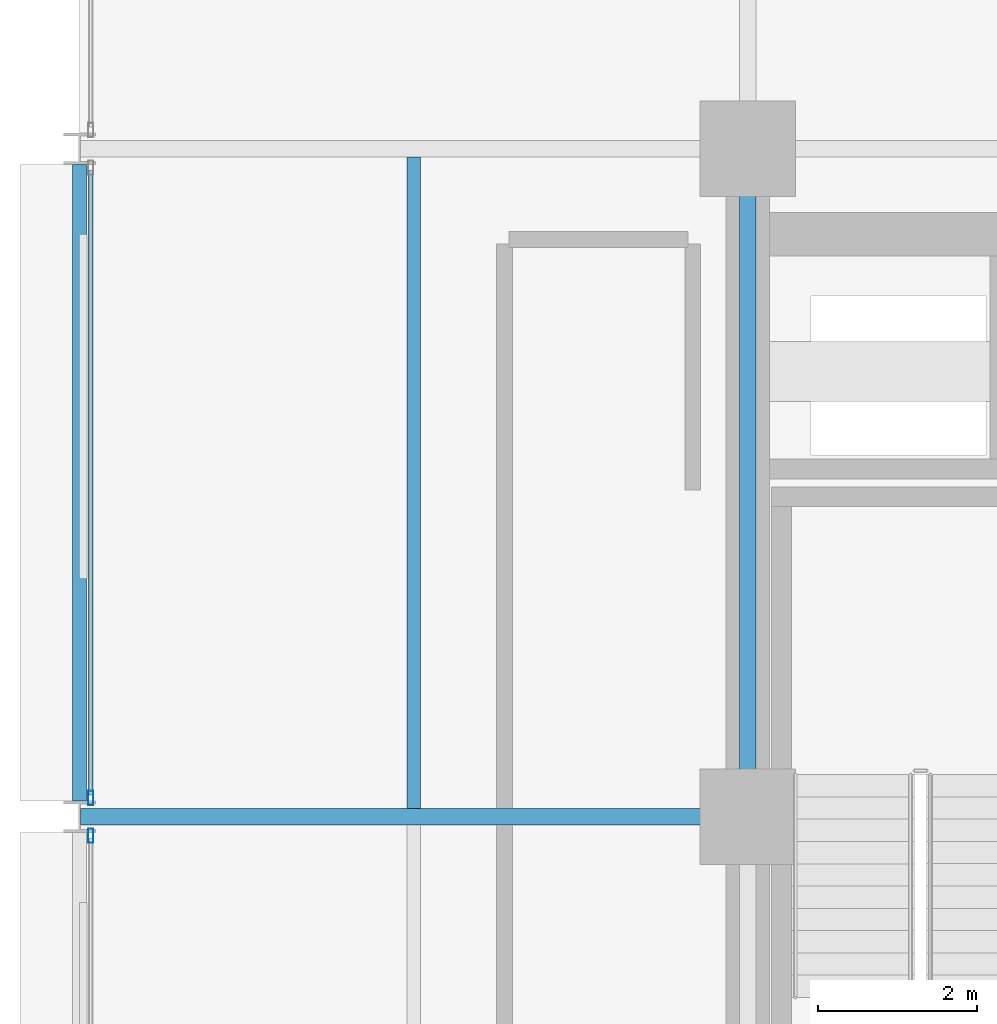
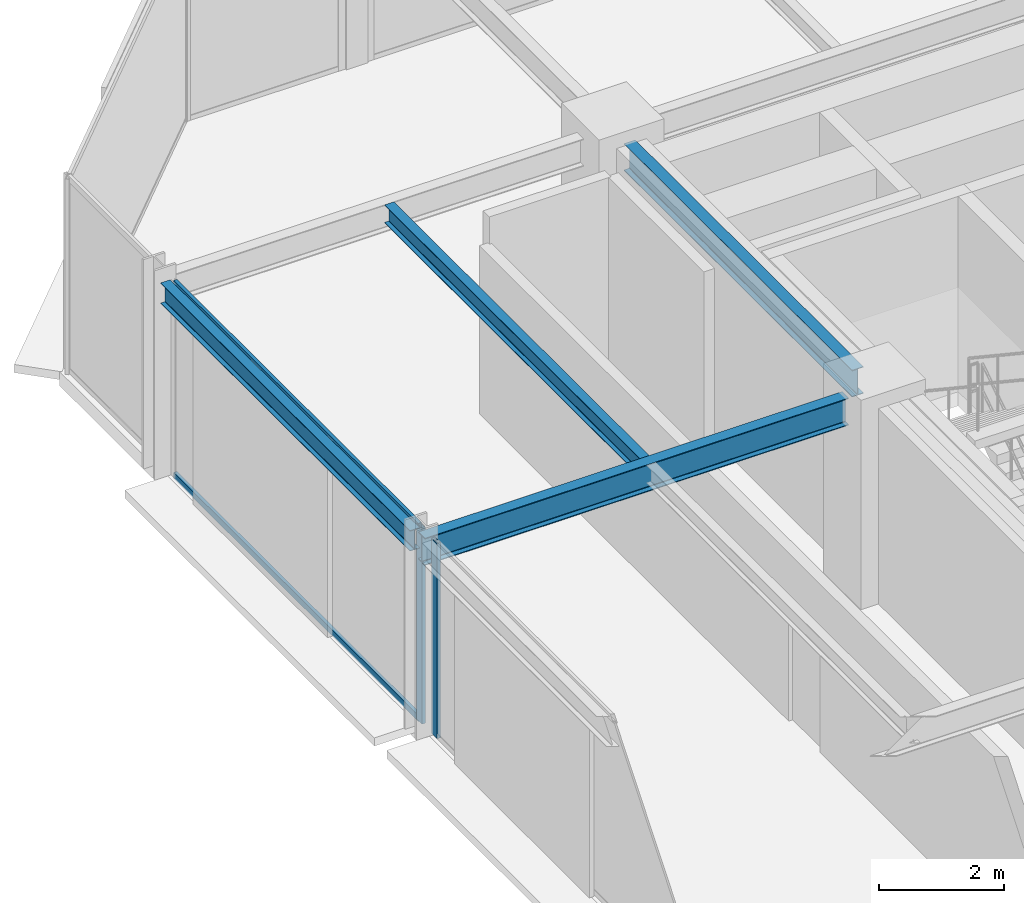
# One storey, part 16 of 30: 4 beams, 4 members, 2 elements without a shape of their own.
"""IFC4 building model written with IfcOpenShell, lengths in metres."""

from ifc_helpers import new_model, si_unit, direction, frame, origin, origin_2d, place, context, subcontext, project, spatial, hollow_rectangle, i_section, extrude, material, layer, layer_set, material_profile, profile_set, type_object, element, aggregate, save


model = new_model("IFC4")

# Units and contexts
model_context = context("Model", 3, precision=1e-05, world=origin(), true_north=direction((0.0, 1.0)))
body_context = subcontext(model_context, "Body", "Model", "MODEL_VIEW")
ifc_project = project(units=[si_unit("LENGTHUNIT", "METRE"), si_unit("AREAUNIT", "SQUARE_METRE"), si_unit("VOLUMEUNIT", "CUBIC_METRE"), si_unit("PLANEANGLEUNIT", "RADIAN"), si_unit("MASSUNIT", "GRAM", prefix="KILO")], contexts=[model_context])

# Site, building, storey
site_placement = place(None, origin())
site = spatial("IfcSite", under=ifc_project, at=site_placement, CompositionType="ELEMENT")
building_placement = place(site_placement, origin())
building = spatial("IfcBuilding", under=site, at=building_placement, Name="Nerrivon Quay Data Exchange", CompositionType="ELEMENT")
storey_placement = place(building_placement, frame((0.0, 0.0, 141.800048828125)))
storey = spatial("IfcBuildingStorey", under=building, at=storey_placement, Name="L33", CompositionType="ELEMENT", Elevation=141.800048828125)

# Beams
ifc_material_1 = material(Name="Steel Grade 350", Category="steel")
ifc_material_profile_1 = material_profile(ifc_material_1, i_section(OverallWidth=0.208984375, OverallDepth=0.532958984375, WebThickness=0.01025390625, FlangeThickness=0.015625, FilletRadius=0.013916015625, at=origin_2d()), Name="530UB92.4")
ifc_profile_set_1 = profile_set([ifc_material_profile_1], Name="Steel Grade 350")
beam_type_1 = type_object("IfcBeamType", Name="BM-G3-530UB92", PredefinedType="BEAM", material=ifc_profile_set_1)
beam_1_placement = place(storey_placement, frame((0.012451171875, 33.60009765625, 3.558349609375), z_axis=(1.0, 0.0, 0.0), x_axis=(0.0, 1.0, 0.0)))
element("IfcBeam", 1, at=beam_1_placement, inside=storey, type_object=beam_type_1, Name="L33 EW Girder Y=33.6 (0.0..8.4)", PredefinedType="BEAM", context=body_context, shape_type="SweptSolid", body=[
    extrude(i_section(OverallWidth=0.208984375, OverallDepth=0.532958984375, WebThickness=0.01025390625, FlangeThickness=0.015625, FilletRadius=0.013916015625, at=origin_2d()), origin(), (0.0, 0.0, 1.0), 7.84765625),
])
ifc_material_profile_2 = material_profile(ifc_material_1, i_section(OverallWidth=0.208984375, OverallDepth=0.528076171875, WebThickness=0.009521484375, FlangeThickness=0.01318359375, FilletRadius=0.013916015625, at=origin_2d()), Name="530UB82.0")
ifc_profile_set_2 = profile_set([ifc_material_profile_2], Name="Steel Grade 350")
beam_type_2 = type_object("IfcBeamType", Name="BM-G4-530UB82", PredefinedType="BEAM", material=ifc_profile_set_2)
beam_2_placement = place(storey_placement, frame((8.39990234375, 34.139892578125, 3.56103515625), z_axis=(0.0, 1.0, 0.0), x_axis=(-1.0, 0.0, 0.0)))
element("IfcBeam", 2, at=beam_2_placement, inside=storey, type_object=beam_type_2, Name="L33 NS Girder X=8.4 (33.6..42.0)", PredefinedType="BEAM", context=body_context, shape_type="SweptSolid", body=[
    extrude(i_section(OverallWidth=0.208984375, OverallDepth=0.528076171875, WebThickness=0.009521484375, FlangeThickness=0.01318359375, FilletRadius=0.013916015625, at=origin_2d()), origin(), (0.0, 0.0, 1.0), 7.320068359375),
])
ifc_material_profile_3 = material_profile(ifc_material_1, i_section(OverallWidth=0.1708984375, OverallDepth=0.35595703125, WebThickness=0.00732421875, FlangeThickness=0.011474609375, FilletRadius=0.011474609375, at=origin_2d()), Name="360UB50.7")
ifc_profile_set_3 = profile_set([ifc_material_profile_3], Name="Steel Grade 350")
beam_type_3 = type_object("IfcBeamType", Name="BM-J4-360UB51", PredefinedType="JOIST", material=ifc_profile_set_3)
beam_3_placement = place(storey_placement, frame((4.199951171875, 33.70458984375, 3.64697265625), z_axis=(0.0, 1.0, 0.0), x_axis=(-1.0, 0.0, 0.0)))
element("IfcBeam", 3, at=beam_3_placement, inside=storey, type_object=beam_type_3, Name="L33 Secondary Joist X=4.2 (33.6..42.0)", PredefinedType="JOIST", context=body_context, shape_type="SweptSolid", body=[
    extrude(i_section(OverallWidth=0.1708984375, OverallDepth=0.35595703125, WebThickness=0.00732421875, FlangeThickness=0.011474609375, FilletRadius=0.011474609375, at=origin_2d()), origin(), (0.0, 0.0, 1.0), 8.19091796875),
])
ifc_material_profile_4 = material_profile(ifc_material_1, i_section(OverallWidth=0.177978515625, OverallDepth=0.403076171875, WebThickness=0.007568359375, FlangeThickness=0.010986328125, FilletRadius=0.011474609375, at=origin_2d()), Name="410UB53.7")
ifc_profile_set_4 = profile_set([ifc_material_profile_4], Name="Steel Grade 350")
beam_type_4 = type_object("IfcBeamType", Name="BM-SP2-410UB54", PredefinedType="SPANDREL", material=ifc_profile_set_4)
beam_4_placement = place(storey_placement, frame((0.0, 33.800048828125, 3.62353515625), z_axis=(0.0, 1.0, 0.0), x_axis=(-1.0, 0.0, 0.0)))
element("IfcBeam", 4, at=beam_4_placement, inside=storey, type_object=beam_type_4, Name="L33 NS Girder X=0.0 (33.6..42.0)", PredefinedType="SPANDREL", context=body_context, shape_type="SweptSolid", body=[
    extrude(i_section(OverallWidth=0.177978515625, OverallDepth=0.403076171875, WebThickness=0.007568359375, FlangeThickness=0.010986328125, FilletRadius=0.011474609375, at=origin_2d()), origin(), (0.0, 0.0, 1.0), 8.0),
])

# Curtain wall, member
ifc_material_2 = material(Name="Anodised aluminium 6063-T6", Category="aluminium")
ifc_layer = layer(ifc_material_2, 0.2099609375)
ifc_layer_set = layer_set([ifc_layer], Name="Anodised aluminium 6063-T6")
curtain_wall_type = type_object("IfcCurtainWallType", Name="CW-SYS-02", PredefinedType="NOTDEFINED", material=ifc_layer_set)
curtain_wall_1_placement = place(storey_placement, origin())
curtain_wall_1 = element("IfcCurtainWall", 5, at=curtain_wall_1_placement, inside=storey, type_object=curtain_wall_type, Name="L33 Unitised Curtain Wall 14", PredefinedType="NOTDEFINED")
ifc_material_profile_5 = material_profile(ifc_material_2, hollow_rectangle(XDim=0.06494140625, YDim=0.179931640625, WallThickness=0.00341796875, at=origin_2d()), Name="ALU-MULL-180x65")
ifc_profile_set_5 = profile_set([ifc_material_profile_5], Name="Anodised aluminium 6063-T6")
member_type_1 = type_object("IfcMemberType", Name="CWM-180x65", PredefinedType="MULLION", material=ifc_profile_set_5)
member_1_placement = place(storey_placement, frame((0.139892578125, 33.362548828125, 0.0), z_axis=(0.0, 0.0, 1.0), x_axis=(-1.0, 0.0, 0.0)))
member_1 = element("IfcMember", 6, at=member_1_placement, type_object=member_type_1, Name="CW02 mullion 2", PredefinedType="MULLION", context=body_context, shape_type="SweptSolid", body=[
    extrude(hollow_rectangle(XDim=0.06494140625, YDim=0.179931640625, WallThickness=0.00341796875, at=origin_2d()), origin(), (0.0, 0.0, 1.0), 3.824951171875),
])
aggregate(curtain_wall_1, [member_1])

# Curtain wall, members
curtain_wall_2_placement = place(storey_placement, origin())
curtain_wall_2 = element("IfcCurtainWall", 7, at=curtain_wall_2_placement, inside=storey, type_object=curtain_wall_type, Name="L33 Unitised Curtain Wall 15", PredefinedType="NOTDEFINED")
member_2_placement = place(storey_placement, frame((0.139892578125, 33.83740234375, 0.0), z_axis=(0.0, 0.0, 1.0), x_axis=(-1.0, 0.0, 0.0)))
member_2 = element("IfcMember", 8, at=member_2_placement, type_object=member_type_1, Name="CW02 mullion 1", PredefinedType="MULLION", context=body_context, shape_type="SweptSolid", body=[
    extrude(hollow_rectangle(XDim=0.06494140625, YDim=0.179931640625, WallThickness=0.00341796875, at=origin_2d()), origin(), (0.0, 0.0, 1.0), 3.824951171875),
])
ifc_material_profile_6 = material_profile(ifc_material_2, hollow_rectangle(XDim=0.06005859375, YDim=0.1201171875, WallThickness=0.003173828125, at=origin_2d()), Name="ALU-TRAN-120x60")
ifc_profile_set_6 = profile_set([ifc_material_profile_6], Name="Anodised aluminium 6063-T6")
member_type_2 = type_object("IfcMemberType", Name="CWT-120x60", PredefinedType="USERDEFINED", material=ifc_profile_set_6)
member_3_placement = place(storey_placement, frame((0.139892578125, 33.875, 0.032470703125), z_axis=(0.0, 1.0, 0.0), x_axis=(-1.0, 0.0, 0.0)))
member_3 = element("IfcMember", 9, at=member_3_placement, type_object=member_type_2, Name="CW02 transom 1.1", ObjectType="TRANSOM", PredefinedType="USERDEFINED", context=body_context, shape_type="SweptSolid", body=[
    extrude(hollow_rectangle(XDim=0.06005859375, YDim=0.1201171875, WallThickness=0.003173828125, at=origin_2d()), origin(), (0.0, 0.0, 1.0), 7.85009765625),
])
member_4_placement = place(storey_placement, frame((0.139892578125, 33.875, 3.79248046875), z_axis=(0.0, 1.0, 0.0), x_axis=(-1.0, 0.0, 0.0)))
member_4 = element("IfcMember", 10, at=member_4_placement, type_object=member_type_2, Name="CW02 transom 1.2", ObjectType="TRANSOM", PredefinedType="USERDEFINED", context=body_context, shape_type="SweptSolid", body=[
    extrude(hollow_rectangle(XDim=0.06005859375, YDim=0.1201171875, WallThickness=0.003173828125, at=origin_2d()), origin(), (0.0, 0.0, 1.0), 7.85009765625),
])
aggregate(curtain_wall_2, [member_2, member_3, member_4])

save(model, "model.ifc")
